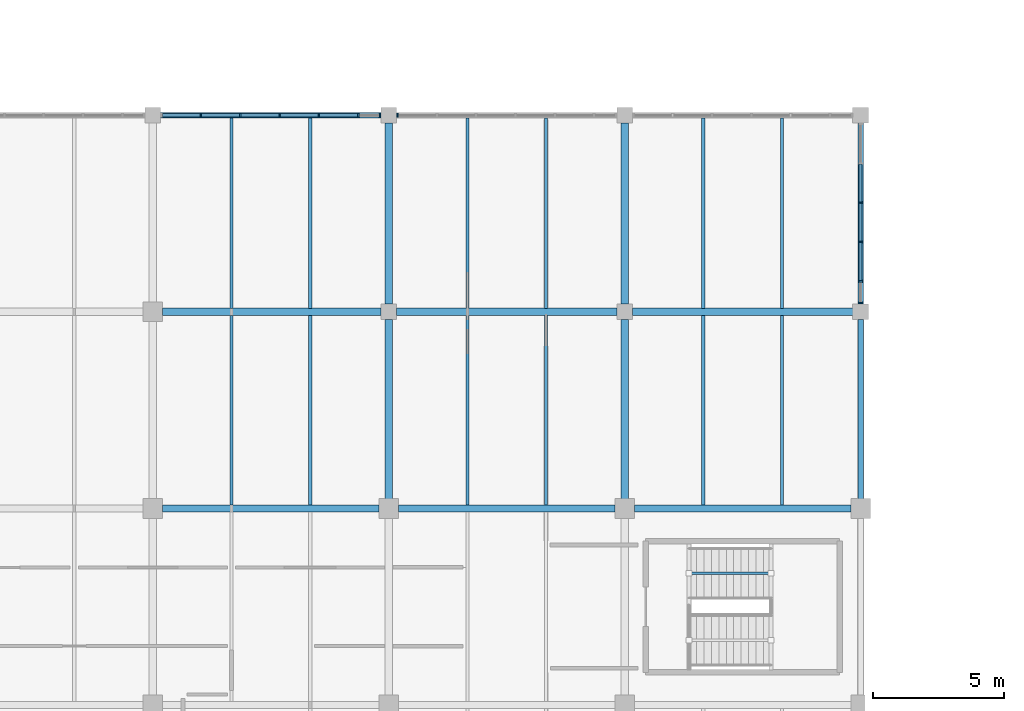
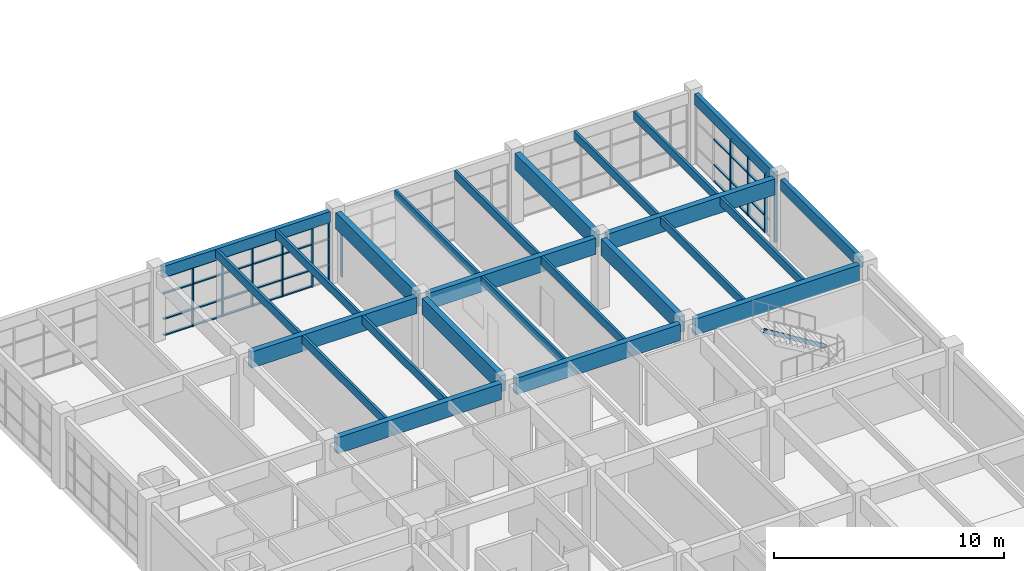
# One storey, part 37 of 76: 44 members, 25 beams, 3 elements without a shape of their own.
"""IFC4 building model written with IfcOpenShell, lengths in metres."""

from ifc_helpers import new_model, si_unit, direction, frame, origin, origin_2d, place, context, subcontext, project, spatial, rectangle, hollow_rectangle, extrude, material, layer, layer_set, material_profile, profile_set, type_object, element, aggregate, save


model = new_model("IFC4")

# Units and contexts
model_context = context("Model", 3, precision=1e-05, world=origin(), true_north=direction((0.0, 1.0)))
body_context = subcontext(model_context, "Body", "Model", "MODEL_VIEW")
ifc_project = project(units=[si_unit("LENGTHUNIT", "METRE"), si_unit("AREAUNIT", "SQUARE_METRE"), si_unit("VOLUMEUNIT", "CUBIC_METRE"), si_unit("PLANEANGLEUNIT", "RADIAN"), si_unit("MASSUNIT", "GRAM", prefix="KILO")], contexts=[model_context])

# Site, building, storey
site_placement = place(None, origin())
site = spatial("IfcSite", under=ifc_project, at=site_placement, CompositionType="ELEMENT")
building_placement = place(site_placement, origin())
building = spatial("IfcBuilding", under=site, at=building_placement, Name="Marnridge Secondary College", CompositionType="ELEMENT")
storey_placement = place(building_placement, frame((0.0, 0.0, 4.5)))
storey = spatial("IfcBuildingStorey", under=building, at=storey_placement, Name="L01", CompositionType="ELEMENT", Elevation=4.5)

# Beams
ifc_material_1 = material(Name="Glulam timber GL18", Category="wood")
ifc_material_profile_1 = material_profile(ifc_material_1, rectangle(XDim=0.215087890625, YDim=0.5849609375, at=origin_2d()), Name="GL18 215x585")
ifc_profile_set_1 = profile_set([ifc_material_profile_1], Name="Glulam timber GL18")
beam_type_1 = type_object("IfcBeamType", Name="BM-GL585-EXT", PredefinedType="SPANDREL", material=ifc_profile_set_1)
beam_1_placement = place(storey_placement, frame((63.2939453125, 82.5, 3.447509765625), z_axis=(1.0, 0.0, 0.0), x_axis=(0.0, 1.0, 0.0)))
element("IfcBeam", 1, at=beam_1_placement, inside=storey, type_object=beam_type_1, Name="Beam BS-L01-0442", PredefinedType="SPANDREL", context=body_context, shape_type="SweptSolid", body=[
    extrude(rectangle(XDim=0.215087890625, YDim=0.5849609375, at=origin_2d()), origin(), (0.0, 0.0, 1.0), 8.412109375),
])
beam_2_placement = place(storey_placement, frame((90.0, 67.868896484375, 3.447509765625), z_axis=(0.0, 1.0, 0.0), x_axis=(-1.0, 0.0, 0.0)))
element("IfcBeam", 2, at=beam_2_placement, inside=storey, type_object=beam_type_1, Name="Beam BS-L01-0465", PredefinedType="SPANDREL", context=body_context, shape_type="SweptSolid", body=[
    extrude(rectangle(XDim=0.215087890625, YDim=0.5849609375, at=origin_2d()), origin(), (0.0, 0.0, 1.0), 6.837158203125),
])
beam_3_placement = place(storey_placement, frame((90.0, 75.2939453125, 3.447509765625), z_axis=(0.0, 1.0, 0.0), x_axis=(-1.0, 0.0, 0.0)))
element("IfcBeam", 3, at=beam_3_placement, inside=storey, type_object=beam_type_1, Name="Beam BS-L01-0467", PredefinedType="SPANDREL", context=body_context, shape_type="SweptSolid", body=[
    extrude(rectangle(XDim=0.215087890625, YDim=0.5849609375, at=origin_2d()), origin(), (0.0, 0.0, 1.0), 6.912109375),
])
ifc_material_2 = material(Name="Glulam timber GL18", Category="wood")
ifc_material_profile_2 = material_profile(ifc_material_2, rectangle(XDim=0.280029296875, YDim=0.85498046875, at=origin_2d()), Name="GL18 280x855")
ifc_profile_set_2 = profile_set([ifc_material_profile_2], Name="Glulam timber GL18")
beam_type_2 = type_object("IfcBeamType", Name="BM-GL855-INT", PredefinedType="BEAM", material=ifc_profile_set_2)
beam_4_placement = place(storey_placement, frame((63.368896484375, 67.5, 3.3125), z_axis=(1.0, 0.0, 0.0), x_axis=(0.0, 1.0, 0.0)))
element("IfcBeam", 4, at=beam_4_placement, inside=storey, type_object=beam_type_2, Name="Beam B-L01-0438", PredefinedType="BEAM", context=body_context, shape_type="SweptSolid", body=[
    extrude(rectangle(XDim=0.280029296875, YDim=0.85498046875, at=origin_2d()), origin(), (0.0, 0.0, 1.0), 8.26220703125),
])
beam_5_placement = place(storey_placement, frame((63.368896484375, 75.0, 3.3125), z_axis=(1.0, 0.0, 0.0), x_axis=(0.0, 1.0, 0.0)))
element("IfcBeam", 5, at=beam_5_placement, inside=storey, type_object=beam_type_2, Name="Beam B-L01-0440", PredefinedType="BEAM", context=body_context, shape_type="SweptSolid", body=[
    extrude(rectangle(XDim=0.280029296875, YDim=0.85498046875, at=origin_2d()), origin(), (0.0, 0.0, 1.0), 8.337158203125),
])
beam_6_placement = place(storey_placement, frame((72.0, 67.868896484375, 3.3125), z_axis=(0.0, 1.0, 0.0), x_axis=(-1.0, 0.0, 0.0)))
element("IfcBeam", 6, at=beam_6_placement, inside=storey, type_object=beam_type_2, Name="Beam B-L01-0441", PredefinedType="BEAM", context=body_context, shape_type="SweptSolid", body=[
    extrude(rectangle(XDim=0.280029296875, YDim=0.85498046875, at=origin_2d()), origin(), (0.0, 0.0, 1.0), 6.837158203125),
])
beam_7_placement = place(storey_placement, frame((72.0, 75.2939453125, 3.3125), z_axis=(0.0, 1.0, 0.0), x_axis=(-1.0, 0.0, 0.0)))
element("IfcBeam", 7, at=beam_7_placement, inside=storey, type_object=beam_type_2, Name="Beam B-L01-0443", PredefinedType="BEAM", context=body_context, shape_type="SweptSolid", body=[
    extrude(rectangle(XDim=0.280029296875, YDim=0.85498046875, at=origin_2d()), origin(), (0.0, 0.0, 1.0), 6.912109375),
])
beam_8_placement = place(storey_placement, frame((72.368896484375, 67.5, 3.3125), z_axis=(1.0, 0.0, 0.0), x_axis=(0.0, 1.0, 0.0)))
element("IfcBeam", 8, at=beam_8_placement, inside=storey, type_object=beam_type_2, Name="Beam B-L01-0447", PredefinedType="BEAM", context=body_context, shape_type="SweptSolid", body=[
    extrude(rectangle(XDim=0.280029296875, YDim=0.85498046875, at=origin_2d()), origin(), (0.0, 0.0, 1.0), 8.26220703125),
])
beam_9_placement = place(storey_placement, frame((72.2939453125, 75.0, 3.3125), z_axis=(1.0, 0.0, 0.0), x_axis=(0.0, 1.0, 0.0)))
element("IfcBeam", 9, at=beam_9_placement, inside=storey, type_object=beam_type_2, Name="Beam B-L01-0449", PredefinedType="BEAM", context=body_context, shape_type="SweptSolid", body=[
    extrude(rectangle(XDim=0.280029296875, YDim=0.85498046875, at=origin_2d()), origin(), (0.0, 0.0, 1.0), 8.412109375),
])
beam_10_placement = place(storey_placement, frame((81.0, 67.868896484375, 3.3125), z_axis=(0.0, 1.0, 0.0), x_axis=(-1.0, 0.0, 0.0)))
element("IfcBeam", 10, at=beam_10_placement, inside=storey, type_object=beam_type_2, Name="Beam B-L01-0450", PredefinedType="BEAM", context=body_context, shape_type="SweptSolid", body=[
    extrude(rectangle(XDim=0.280029296875, YDim=0.85498046875, at=origin_2d()), origin(), (0.0, 0.0, 1.0), 6.837158203125),
])
beam_11_placement = place(storey_placement, frame((81.0, 75.2939453125, 3.3125), z_axis=(0.0, 1.0, 0.0), x_axis=(-1.0, 0.0, 0.0)))
element("IfcBeam", 11, at=beam_11_placement, inside=storey, type_object=beam_type_2, Name="Beam B-L01-0452", PredefinedType="BEAM", context=body_context, shape_type="SweptSolid", body=[
    extrude(rectangle(XDim=0.280029296875, YDim=0.85498046875, at=origin_2d()), origin(), (0.0, 0.0, 1.0), 6.912109375),
])
beam_12_placement = place(storey_placement, frame((81.368896484375, 67.5, 3.3125), z_axis=(1.0, 0.0, 0.0), x_axis=(0.0, 1.0, 0.0)))
element("IfcBeam", 12, at=beam_12_placement, inside=storey, type_object=beam_type_2, Name="Beam B-L01-0462", PredefinedType="BEAM", context=body_context, shape_type="SweptSolid", body=[
    extrude(rectangle(XDim=0.280029296875, YDim=0.85498046875, at=origin_2d()), origin(), (0.0, 0.0, 1.0), 8.26220703125),
])
beam_13_placement = place(storey_placement, frame((81.2939453125, 75.0, 3.3125), z_axis=(1.0, 0.0, 0.0), x_axis=(0.0, 1.0, 0.0)))
element("IfcBeam", 13, at=beam_13_placement, inside=storey, type_object=beam_type_2, Name="Beam B-L01-0464", PredefinedType="BEAM", context=body_context, shape_type="SweptSolid", body=[
    extrude(rectangle(XDim=0.280029296875, YDim=0.85498046875, at=origin_2d()), origin(), (0.0, 0.0, 1.0), 8.412109375),
])
ifc_material_3 = material(Name="Engineered timber LVL E13.2", Category="wood")
ifc_material_profile_3 = material_profile(ifc_material_3, rectangle(XDim=0.1259765625, YDim=0.449951171875, at=origin_2d()), Name="LVL 126x450")
ifc_profile_set_3 = profile_set([ifc_material_profile_3], Name="Engineered timber LVL E13.2")
beam_type_3 = type_object("IfcBeamType", Name="BM-LVL450-INT", PredefinedType="JOIST", material=ifc_profile_set_3)
for number, where, z_axis, x_axis, name in (
    (14, (66.0, 67.634033203125, 3.514892578125), (0.0, 1.0, 0.0), (-1.0, 0.0, 0.0), "Beam BJ-L01-0487"),
    (15, (69.0, 67.634033203125, 3.514892578125), (0.0, 1.0, 0.0), (-1.0, 0.0, 0.0), "Beam BJ-L01-0488"),
):
    element("IfcBeam", number, at=place(storey_placement, frame(where, z_axis=z_axis, x_axis=x_axis)), inside=storey, type_object=beam_type_3, Name=name, PredefinedType="JOIST", context=body_context, shape_type="SweptSolid", body=[
        extrude(rectangle(XDim=0.1259765625, YDim=0.449951171875, at=origin_2d()), origin(), (0.0, 0.0, 1.0), 7.23193359375),
    ])
for number, where, z_axis, x_axis, name in (
    (16, (66.0, 75.134033203125, 3.514892578125), (0.0, 1.0, 0.0), (-1.0, 0.0, 0.0), "Beam BJ-L01-0489"),
    (17, (69.0, 75.134033203125, 3.514892578125), (0.0, 1.0, 0.0), (-1.0, 0.0, 0.0), "Beam BJ-L01-0490"),
):
    element("IfcBeam", number, at=place(storey_placement, frame(where, z_axis=z_axis, x_axis=x_axis)), inside=storey, type_object=beam_type_3, Name=name, PredefinedType="JOIST", context=body_context, shape_type="SweptSolid", body=[
        extrude(rectangle(XDim=0.1259765625, YDim=0.449951171875, at=origin_2d()), origin(), (0.0, 0.0, 1.0), 7.264404296875),
    ])
for number, where, z_axis, x_axis, name in (
    (18, (75.0, 67.634033203125, 3.514892578125), (0.0, 1.0, 0.0), (-1.0, 0.0, 0.0), "Beam BJ-L01-0495"),
    (19, (78.0, 67.634033203125, 3.514892578125), (0.0, 1.0, 0.0), (-1.0, 0.0, 0.0), "Beam BJ-L01-0496"),
):
    element("IfcBeam", number, at=place(storey_placement, frame(where, z_axis=z_axis, x_axis=x_axis)), inside=storey, type_object=beam_type_3, Name=name, PredefinedType="JOIST", context=body_context, shape_type="SweptSolid", body=[
        extrude(rectangle(XDim=0.1259765625, YDim=0.449951171875, at=origin_2d()), origin(), (0.0, 0.0, 1.0), 7.23193359375),
    ])
for number, where, z_axis, x_axis, name in (
    (20, (75.0, 75.134033203125, 3.514892578125), (0.0, 1.0, 0.0), (-1.0, 0.0, 0.0), "Beam BJ-L01-0497"),
    (21, (78.0, 75.134033203125, 3.514892578125), (0.0, 1.0, 0.0), (-1.0, 0.0, 0.0), "Beam BJ-L01-0498"),
):
    element("IfcBeam", number, at=place(storey_placement, frame(where, z_axis=z_axis, x_axis=x_axis)), inside=storey, type_object=beam_type_3, Name=name, PredefinedType="JOIST", context=body_context, shape_type="SweptSolid", body=[
        extrude(rectangle(XDim=0.1259765625, YDim=0.449951171875, at=origin_2d()), origin(), (0.0, 0.0, 1.0), 7.264404296875),
    ])
for number, where, z_axis, x_axis, name in (
    (22, (84.0, 67.634033203125, 3.514892578125), (0.0, 1.0, 0.0), (-1.0, 0.0, 0.0), "Beam BJ-L01-0505"),
    (23, (87.0, 67.634033203125, 3.514892578125), (0.0, 1.0, 0.0), (-1.0, 0.0, 0.0), "Beam BJ-L01-0506"),
):
    element("IfcBeam", number, at=place(storey_placement, frame(where, z_axis=z_axis, x_axis=x_axis)), inside=storey, type_object=beam_type_3, Name=name, PredefinedType="JOIST", context=body_context, shape_type="SweptSolid", body=[
        extrude(rectangle(XDim=0.1259765625, YDim=0.449951171875, at=origin_2d()), origin(), (0.0, 0.0, 1.0), 7.23193359375),
    ])
for number, where, z_axis, x_axis, name in (
    (24, (84.0, 75.134033203125, 3.514892578125), (0.0, 1.0, 0.0), (-1.0, 0.0, 0.0), "Beam BJ-L01-0507"),
    (25, (87.0, 75.134033203125, 3.514892578125), (0.0, 1.0, 0.0), (-1.0, 0.0, 0.0), "Beam BJ-L01-0508"),
):
    element("IfcBeam", number, at=place(storey_placement, frame(where, z_axis=z_axis, x_axis=x_axis)), inside=storey, type_object=beam_type_3, Name=name, PredefinedType="JOIST", context=body_context, shape_type="SweptSolid", body=[
        extrude(rectangle(XDim=0.1259765625, YDim=0.449951171875, at=origin_2d()), origin(), (0.0, 0.0, 1.0), 7.264404296875),
    ])

# Curtain wall, members
ifc_material_4 = material(Name="Thermally broken aluminium and low-E glazing", Category="aluminium")
ifc_layer = layer(ifc_material_4, 0.159912109375)
ifc_layer_set = layer_set([ifc_layer], Name="CW-MOD-1500")
curtain_wall_type = type_object("IfcCurtainWallType", Name="CW-MOD-1500", PredefinedType="NOTDEFINED", material=ifc_layer_set)
curtain_wall_1_placement = place(storey_placement, origin())
curtain_wall_1 = element("IfcCurtainWall", 26, at=curtain_wall_1_placement, inside=storey, type_object=curtain_wall_type, Name="Unitised curtain wall CW-L01-029", PredefinedType="NOTDEFINED")
ifc_material_5 = material(Name="Anodised aluminium 6063-T6", Category="aluminium")
ifc_material_profile_4 = material_profile(ifc_material_5, rectangle(XDim=0.06005859375, YDim=0.159912109375, at=origin_2d()), Name="ALU 60x160")
ifc_profile_set_4 = profile_set([ifc_material_profile_4], Name="Anodised aluminium 6063-T6")
member_type_1 = type_object("IfcMemberType", Name="CWM-ALU160", PredefinedType="MULLION", material=ifc_profile_set_4)
member_1_placement = place(storey_placement, frame((64.833984375, 82.5, 0.0), z_axis=(0.0, 0.0, 1.0), x_axis=(1.0, 0.0, 0.0)))
member_1 = element("IfcMember", 27, at=member_1_placement, type_object=member_type_1, Name="CW-L01-029 mullion 2", PredefinedType="MULLION", context=body_context, shape_type="SweptSolid", body=[
    extrude(rectangle(XDim=0.06005859375, YDim=0.159912109375, at=origin_2d()), origin(), (0.0, 0.0, 1.0), 3.14697265625),
])
member_2_placement = place(storey_placement, frame((66.333984375, 82.5, 0.0), z_axis=(0.0, 0.0, 1.0), x_axis=(1.0, 0.0, 0.0)))
member_2 = element("IfcMember", 28, at=member_2_placement, type_object=member_type_1, Name="CW-L01-029 mullion 3", PredefinedType="MULLION", context=body_context, shape_type="SweptSolid", body=[
    extrude(rectangle(XDim=0.06005859375, YDim=0.159912109375, at=origin_2d()), origin(), (0.0, 0.0, 1.0), 3.14697265625),
])
member_3_placement = place(storey_placement, frame((67.833984375, 82.5, 0.0), z_axis=(0.0, 0.0, 1.0), x_axis=(1.0, 0.0, 0.0)))
member_3 = element("IfcMember", 29, at=member_3_placement, type_object=member_type_1, Name="CW-L01-029 mullion 4", PredefinedType="MULLION", context=body_context, shape_type="SweptSolid", body=[
    extrude(rectangle(XDim=0.06005859375, YDim=0.159912109375, at=origin_2d()), origin(), (0.0, 0.0, 1.0), 3.14697265625),
])
member_4_placement = place(storey_placement, frame((69.333984375, 82.5, 0.0), z_axis=(0.0, 0.0, 1.0), x_axis=(1.0, 0.0, 0.0)))
member_4 = element("IfcMember", 30, at=member_4_placement, type_object=member_type_1, Name="CW-L01-029 mullion 5", PredefinedType="MULLION", context=body_context, shape_type="SweptSolid", body=[
    extrude(rectangle(XDim=0.06005859375, YDim=0.159912109375, at=origin_2d()), origin(), (0.0, 0.0, 1.0), 3.14697265625),
])
member_5_placement = place(storey_placement, frame((70.833984375, 82.5, 0.0), z_axis=(0.0, 0.0, 1.0), x_axis=(1.0, 0.0, 0.0)))
member_5 = element("IfcMember", 31, at=member_5_placement, type_object=member_type_1, Name="CW-L01-029 mullion 6", PredefinedType="MULLION", context=body_context, shape_type="SweptSolid", body=[
    extrude(rectangle(XDim=0.06005859375, YDim=0.159912109375, at=origin_2d()), origin(), (0.0, 0.0, 1.0), 3.14697265625),
])
member_6_placement = place(storey_placement, frame((71.666015625, 82.5, 0.0), z_axis=(0.0, 0.0, 1.0), x_axis=(1.0, 0.0, 0.0)))
member_6 = element("IfcMember", 32, at=member_6_placement, type_object=member_type_1, Name="CW-L01-029 mullion 7", PredefinedType="MULLION", context=body_context, shape_type="SweptSolid", body=[
    extrude(rectangle(XDim=0.06005859375, YDim=0.159912109375, at=origin_2d()), origin(), (0.0, 0.0, 1.0), 3.14697265625),
])

# Curtain wall, member
curtain_wall_2_placement = place(storey_placement, origin())
curtain_wall_2 = element("IfcCurtainWall", 33, at=curtain_wall_2_placement, inside=storey, type_object=curtain_wall_type, Name="Unitised curtain wall CW-L01-030", PredefinedType="NOTDEFINED")
member_7_placement = place(storey_placement, frame((72.333984375, 82.5, 0.0), z_axis=(0.0, 0.0, 1.0), x_axis=(1.0, 0.0, 0.0)))
member_7 = element("IfcMember", 34, at=member_7_placement, type_object=member_type_1, Name="CW-L01-030 mullion 1", PredefinedType="MULLION", context=body_context, shape_type="SweptSolid", body=[
    extrude(rectangle(XDim=0.06005859375, YDim=0.159912109375, at=origin_2d()), origin(), (0.0, 0.0, 1.0), 3.14697265625),
])
aggregate(curtain_wall_2, [member_7])

# Curtain wall, members
curtain_wall_3_placement = place(storey_placement, origin())
curtain_wall_3 = element("IfcCurtainWall", 35, at=curtain_wall_3_placement, inside=storey, type_object=curtain_wall_type, Name="Unitised curtain wall CW-L01-032", PredefinedType="NOTDEFINED")
member_8_placement = place(storey_placement, frame((90.0, 79.166015625, 0.0), z_axis=(0.0, 0.0, 1.0), x_axis=(0.0, -1.0, 0.0)))
member_8 = element("IfcMember", 36, at=member_8_placement, type_object=member_type_1, Name="CW-L01-032 mullion 3", PredefinedType="MULLION", context=body_context, shape_type="SweptSolid", body=[
    extrude(rectangle(XDim=0.06005859375, YDim=0.159912109375, at=origin_2d()), origin(), (0.0, 0.0, 1.0), 3.14697265625),
])
member_9_placement = place(storey_placement, frame((90.0, 77.666015625, 0.0), z_axis=(0.0, 0.0, 1.0), x_axis=(0.0, -1.0, 0.0)))
member_9 = element("IfcMember", 37, at=member_9_placement, type_object=member_type_1, Name="CW-L01-032 mullion 4", PredefinedType="MULLION", context=body_context, shape_type="SweptSolid", body=[
    extrude(rectangle(XDim=0.06005859375, YDim=0.159912109375, at=origin_2d()), origin(), (0.0, 0.0, 1.0), 3.14697265625),
])
member_10_placement = place(storey_placement, frame((90.0, 76.166015625, 0.0), z_axis=(0.0, 0.0, 1.0), x_axis=(0.0, -1.0, 0.0)))
member_10 = element("IfcMember", 38, at=member_10_placement, type_object=member_type_1, Name="CW-L01-032 mullion 5", PredefinedType="MULLION", context=body_context, shape_type="SweptSolid", body=[
    extrude(rectangle(XDim=0.06005859375, YDim=0.159912109375, at=origin_2d()), origin(), (0.0, 0.0, 1.0), 3.14697265625),
])
member_11_placement = place(storey_placement, frame((90.0, 75.333984375, 0.0), z_axis=(0.0, 0.0, 1.0), x_axis=(0.0, -1.0, 0.0)))
member_11 = element("IfcMember", 39, at=member_11_placement, type_object=member_type_1, Name="CW-L01-032 mullion 6", PredefinedType="MULLION", context=body_context, shape_type="SweptSolid", body=[
    extrude(rectangle(XDim=0.06005859375, YDim=0.159912109375, at=origin_2d()), origin(), (0.0, 0.0, 1.0), 3.14697265625),
])

# Member
ifc_material_6 = material(Name="Anodised aluminium 6063-T6", Category="aluminium")
ifc_material_profile_5 = material_profile(ifc_material_6, rectangle(XDim=0.06005859375, YDim=0.1201171875, at=origin_2d()), Name="ALU 60x120")
ifc_profile_set_5 = profile_set([ifc_material_profile_5], Name="Anodised aluminium 6063-T6")
member_type_2 = type_object("IfcMemberType", Name="CWT-ALU120", PredefinedType="USERDEFINED", material=ifc_profile_set_5)
member_12_placement = place(storey_placement, frame((63.364013671875, 82.5, 0.030029296875), z_axis=(1.0, 0.0, 0.0), x_axis=(0.0, 0.0, 1.0)))
member_12 = element("IfcMember", 40, at=member_12_placement, type_object=member_type_2, Name="CW-L01-029 transom 1.1", ObjectType="TRANSOM", PredefinedType="USERDEFINED", context=body_context, shape_type="SweptSolid", body=[
    extrude(rectangle(XDim=0.06005859375, YDim=0.1201171875, at=origin_2d()), origin(), (0.0, 0.0, 1.0), 1.43994140625),
])

member_13_placement = place(storey_placement, frame((63.364013671875, 82.5, 0.89990234375), z_axis=(1.0, 0.0, 0.0), x_axis=(0.0, 0.0, 1.0)))
member_13 = element("IfcMember", 41, at=member_13_placement, type_object=member_type_2, Name="CW-L01-029 transom 1.2", ObjectType="TRANSOM", PredefinedType="USERDEFINED", context=body_context, shape_type="SweptSolid", body=[
    extrude(rectangle(XDim=0.06005859375, YDim=0.1201171875, at=origin_2d()), origin(), (0.0, 0.0, 1.0), 1.43994140625),
])

member_14_placement = place(storey_placement, frame((63.364013671875, 82.5, 2.25), z_axis=(1.0, 0.0, 0.0), x_axis=(0.0, 0.0, 1.0)))
member_14 = element("IfcMember", 42, at=member_14_placement, type_object=member_type_2, Name="CW-L01-029 transom 1.3", ObjectType="TRANSOM", PredefinedType="USERDEFINED", context=body_context, shape_type="SweptSolid", body=[
    extrude(rectangle(XDim=0.06005859375, YDim=0.1201171875, at=origin_2d()), origin(), (0.0, 0.0, 1.0), 1.43994140625),
])

member_15_placement = place(storey_placement, frame((63.364013671875, 82.5, 3.116943359375), z_axis=(1.0, 0.0, 0.0), x_axis=(0.0, 0.0, 1.0)))
member_15 = element("IfcMember", 43, at=member_15_placement, type_object=member_type_2, Name="CW-L01-029 transom 1.4", ObjectType="TRANSOM", PredefinedType="USERDEFINED", context=body_context, shape_type="SweptSolid", body=[
    extrude(rectangle(XDim=0.06005859375, YDim=0.1201171875, at=origin_2d()), origin(), (0.0, 0.0, 1.0), 1.43994140625),
])

member_16_placement = place(storey_placement, frame((64.864013671875, 82.5, 0.030029296875), z_axis=(1.0, 0.0, 0.0), x_axis=(0.0, 0.0, 1.0)))
member_16 = element("IfcMember", 44, at=member_16_placement, type_object=member_type_2, Name="CW-L01-029 transom 2.1", ObjectType="TRANSOM", PredefinedType="USERDEFINED", context=body_context, shape_type="SweptSolid", body=[
    extrude(rectangle(XDim=0.06005859375, YDim=0.1201171875, at=origin_2d()), origin(), (0.0, 0.0, 1.0), 1.43994140625),
])

member_17_placement = place(storey_placement, frame((64.864013671875, 82.5, 0.89990234375), z_axis=(1.0, 0.0, 0.0), x_axis=(0.0, 0.0, 1.0)))
member_17 = element("IfcMember", 45, at=member_17_placement, type_object=member_type_2, Name="CW-L01-029 transom 2.2", ObjectType="TRANSOM", PredefinedType="USERDEFINED", context=body_context, shape_type="SweptSolid", body=[
    extrude(rectangle(XDim=0.06005859375, YDim=0.1201171875, at=origin_2d()), origin(), (0.0, 0.0, 1.0), 1.43994140625),
])

member_18_placement = place(storey_placement, frame((64.864013671875, 82.5, 2.25), z_axis=(1.0, 0.0, 0.0), x_axis=(0.0, 0.0, 1.0)))
member_18 = element("IfcMember", 46, at=member_18_placement, type_object=member_type_2, Name="CW-L01-029 transom 2.3", ObjectType="TRANSOM", PredefinedType="USERDEFINED", context=body_context, shape_type="SweptSolid", body=[
    extrude(rectangle(XDim=0.06005859375, YDim=0.1201171875, at=origin_2d()), origin(), (0.0, 0.0, 1.0), 1.43994140625),
])

member_19_placement = place(storey_placement, frame((64.864013671875, 82.5, 3.116943359375), z_axis=(1.0, 0.0, 0.0), x_axis=(0.0, 0.0, 1.0)))
member_19 = element("IfcMember", 47, at=member_19_placement, type_object=member_type_2, Name="CW-L01-029 transom 2.4", ObjectType="TRANSOM", PredefinedType="USERDEFINED", context=body_context, shape_type="SweptSolid", body=[
    extrude(rectangle(XDim=0.06005859375, YDim=0.1201171875, at=origin_2d()), origin(), (0.0, 0.0, 1.0), 1.43994140625),
])

member_20_placement = place(storey_placement, frame((66.364013671875, 82.5, 0.030029296875), z_axis=(1.0, 0.0, 0.0), x_axis=(0.0, 0.0, 1.0)))
member_20 = element("IfcMember", 48, at=member_20_placement, type_object=member_type_2, Name="CW-L01-029 transom 3.1", ObjectType="TRANSOM", PredefinedType="USERDEFINED", context=body_context, shape_type="SweptSolid", body=[
    extrude(rectangle(XDim=0.06005859375, YDim=0.1201171875, at=origin_2d()), origin(), (0.0, 0.0, 1.0), 1.43994140625),
])

member_21_placement = place(storey_placement, frame((66.364013671875, 82.5, 0.89990234375), z_axis=(1.0, 0.0, 0.0), x_axis=(0.0, 0.0, 1.0)))
member_21 = element("IfcMember", 49, at=member_21_placement, type_object=member_type_2, Name="CW-L01-029 transom 3.2", ObjectType="TRANSOM", PredefinedType="USERDEFINED", context=body_context, shape_type="SweptSolid", body=[
    extrude(rectangle(XDim=0.06005859375, YDim=0.1201171875, at=origin_2d()), origin(), (0.0, 0.0, 1.0), 1.43994140625),
])

member_22_placement = place(storey_placement, frame((66.364013671875, 82.5, 2.25), z_axis=(1.0, 0.0, 0.0), x_axis=(0.0, 0.0, 1.0)))
member_22 = element("IfcMember", 50, at=member_22_placement, type_object=member_type_2, Name="CW-L01-029 transom 3.3", ObjectType="TRANSOM", PredefinedType="USERDEFINED", context=body_context, shape_type="SweptSolid", body=[
    extrude(rectangle(XDim=0.06005859375, YDim=0.1201171875, at=origin_2d()), origin(), (0.0, 0.0, 1.0), 1.43994140625),
])

member_23_placement = place(storey_placement, frame((66.364013671875, 82.5, 3.116943359375), z_axis=(1.0, 0.0, 0.0), x_axis=(0.0, 0.0, 1.0)))
member_23 = element("IfcMember", 51, at=member_23_placement, type_object=member_type_2, Name="CW-L01-029 transom 3.4", ObjectType="TRANSOM", PredefinedType="USERDEFINED", context=body_context, shape_type="SweptSolid", body=[
    extrude(rectangle(XDim=0.06005859375, YDim=0.1201171875, at=origin_2d()), origin(), (0.0, 0.0, 1.0), 1.43994140625),
])

member_24_placement = place(storey_placement, frame((67.864013671875, 82.5, 0.030029296875), z_axis=(1.0, 0.0, 0.0), x_axis=(0.0, 0.0, 1.0)))
member_24 = element("IfcMember", 52, at=member_24_placement, type_object=member_type_2, Name="CW-L01-029 transom 4.1", ObjectType="TRANSOM", PredefinedType="USERDEFINED", context=body_context, shape_type="SweptSolid", body=[
    extrude(rectangle(XDim=0.06005859375, YDim=0.1201171875, at=origin_2d()), origin(), (0.0, 0.0, 1.0), 1.43994140625),
])

member_25_placement = place(storey_placement, frame((67.864013671875, 82.5, 0.89990234375), z_axis=(1.0, 0.0, 0.0), x_axis=(0.0, 0.0, 1.0)))
member_25 = element("IfcMember", 53, at=member_25_placement, type_object=member_type_2, Name="CW-L01-029 transom 4.2", ObjectType="TRANSOM", PredefinedType="USERDEFINED", context=body_context, shape_type="SweptSolid", body=[
    extrude(rectangle(XDim=0.06005859375, YDim=0.1201171875, at=origin_2d()), origin(), (0.0, 0.0, 1.0), 1.43994140625),
])

member_26_placement = place(storey_placement, frame((67.864013671875, 82.5, 2.25), z_axis=(1.0, 0.0, 0.0), x_axis=(0.0, 0.0, 1.0)))
member_26 = element("IfcMember", 54, at=member_26_placement, type_object=member_type_2, Name="CW-L01-029 transom 4.3", ObjectType="TRANSOM", PredefinedType="USERDEFINED", context=body_context, shape_type="SweptSolid", body=[
    extrude(rectangle(XDim=0.06005859375, YDim=0.1201171875, at=origin_2d()), origin(), (0.0, 0.0, 1.0), 1.43994140625),
])

member_27_placement = place(storey_placement, frame((67.864013671875, 82.5, 3.116943359375), z_axis=(1.0, 0.0, 0.0), x_axis=(0.0, 0.0, 1.0)))
member_27 = element("IfcMember", 55, at=member_27_placement, type_object=member_type_2, Name="CW-L01-029 transom 4.4", ObjectType="TRANSOM", PredefinedType="USERDEFINED", context=body_context, shape_type="SweptSolid", body=[
    extrude(rectangle(XDim=0.06005859375, YDim=0.1201171875, at=origin_2d()), origin(), (0.0, 0.0, 1.0), 1.43994140625),
])

member_28_placement = place(storey_placement, frame((69.364013671875, 82.5, 0.030029296875), z_axis=(1.0, 0.0, 0.0), x_axis=(0.0, 0.0, 1.0)))
member_28 = element("IfcMember", 56, at=member_28_placement, type_object=member_type_2, Name="CW-L01-029 transom 5.1", ObjectType="TRANSOM", PredefinedType="USERDEFINED", context=body_context, shape_type="SweptSolid", body=[
    extrude(rectangle(XDim=0.06005859375, YDim=0.1201171875, at=origin_2d()), origin(), (0.0, 0.0, 1.0), 1.43994140625),
])

member_29_placement = place(storey_placement, frame((69.364013671875, 82.5, 0.89990234375), z_axis=(1.0, 0.0, 0.0), x_axis=(0.0, 0.0, 1.0)))
member_29 = element("IfcMember", 57, at=member_29_placement, type_object=member_type_2, Name="CW-L01-029 transom 5.2", ObjectType="TRANSOM", PredefinedType="USERDEFINED", context=body_context, shape_type="SweptSolid", body=[
    extrude(rectangle(XDim=0.06005859375, YDim=0.1201171875, at=origin_2d()), origin(), (0.0, 0.0, 1.0), 1.43994140625),
])

member_30_placement = place(storey_placement, frame((69.364013671875, 82.5, 2.25), z_axis=(1.0, 0.0, 0.0), x_axis=(0.0, 0.0, 1.0)))
member_30 = element("IfcMember", 58, at=member_30_placement, type_object=member_type_2, Name="CW-L01-029 transom 5.3", ObjectType="TRANSOM", PredefinedType="USERDEFINED", context=body_context, shape_type="SweptSolid", body=[
    extrude(rectangle(XDim=0.06005859375, YDim=0.1201171875, at=origin_2d()), origin(), (0.0, 0.0, 1.0), 1.43994140625),
])

member_31_placement = place(storey_placement, frame((69.364013671875, 82.5, 3.116943359375), z_axis=(1.0, 0.0, 0.0), x_axis=(0.0, 0.0, 1.0)))
member_31 = element("IfcMember", 59, at=member_31_placement, type_object=member_type_2, Name="CW-L01-029 transom 5.4", ObjectType="TRANSOM", PredefinedType="USERDEFINED", context=body_context, shape_type="SweptSolid", body=[
    extrude(rectangle(XDim=0.06005859375, YDim=0.1201171875, at=origin_2d()), origin(), (0.0, 0.0, 1.0), 1.43994140625),
])

aggregate(curtain_wall_1, [member_1, member_2, member_3, member_4, member_5, member_6, member_12, member_13, member_14, member_15, member_16, member_17, member_18, member_19, member_20, member_21, member_22, member_23, member_24, member_25, member_26, member_27, member_28, member_29, member_30, member_31])

member_32_placement = place(storey_placement, frame((90.0, 80.635986328125, 0.030029296875), z_axis=(0.0, -1.0, 0.0), x_axis=(0.0, 0.0, 1.0)))
member_32 = element("IfcMember", 60, at=member_32_placement, type_object=member_type_2, Name="CW-L01-032 transom 2.1", ObjectType="TRANSOM", PredefinedType="USERDEFINED", context=body_context, shape_type="SweptSolid", body=[
    extrude(rectangle(XDim=0.06005859375, YDim=0.1201171875, at=origin_2d()), origin(), (0.0, 0.0, 1.0), 1.43994140625),
])

member_33_placement = place(storey_placement, frame((90.0, 80.635986328125, 0.89990234375), z_axis=(0.0, -1.0, 0.0), x_axis=(0.0, 0.0, 1.0)))
member_33 = element("IfcMember", 61, at=member_33_placement, type_object=member_type_2, Name="CW-L01-032 transom 2.2", ObjectType="TRANSOM", PredefinedType="USERDEFINED", context=body_context, shape_type="SweptSolid", body=[
    extrude(rectangle(XDim=0.06005859375, YDim=0.1201171875, at=origin_2d()), origin(), (0.0, 0.0, 1.0), 1.43994140625),
])

member_34_placement = place(storey_placement, frame((90.0, 80.635986328125, 2.25), z_axis=(0.0, -1.0, 0.0), x_axis=(0.0, 0.0, 1.0)))
member_34 = element("IfcMember", 62, at=member_34_placement, type_object=member_type_2, Name="CW-L01-032 transom 2.3", ObjectType="TRANSOM", PredefinedType="USERDEFINED", context=body_context, shape_type="SweptSolid", body=[
    extrude(rectangle(XDim=0.06005859375, YDim=0.1201171875, at=origin_2d()), origin(), (0.0, 0.0, 1.0), 1.43994140625),
])

member_35_placement = place(storey_placement, frame((90.0, 80.635986328125, 3.116943359375), z_axis=(0.0, -1.0, 0.0), x_axis=(0.0, 0.0, 1.0)))
member_35 = element("IfcMember", 63, at=member_35_placement, type_object=member_type_2, Name="CW-L01-032 transom 2.4", ObjectType="TRANSOM", PredefinedType="USERDEFINED", context=body_context, shape_type="SweptSolid", body=[
    extrude(rectangle(XDim=0.06005859375, YDim=0.1201171875, at=origin_2d()), origin(), (0.0, 0.0, 1.0), 1.43994140625),
])

member_36_placement = place(storey_placement, frame((90.0, 79.135986328125, 0.030029296875), z_axis=(0.0, -1.0, 0.0), x_axis=(0.0, 0.0, 1.0)))
member_36 = element("IfcMember", 64, at=member_36_placement, type_object=member_type_2, Name="CW-L01-032 transom 3.1", ObjectType="TRANSOM", PredefinedType="USERDEFINED", context=body_context, shape_type="SweptSolid", body=[
    extrude(rectangle(XDim=0.06005859375, YDim=0.1201171875, at=origin_2d()), origin(), (0.0, 0.0, 1.0), 1.43994140625),
])

member_37_placement = place(storey_placement, frame((90.0, 79.135986328125, 0.89990234375), z_axis=(0.0, -1.0, 0.0), x_axis=(0.0, 0.0, 1.0)))
member_37 = element("IfcMember", 65, at=member_37_placement, type_object=member_type_2, Name="CW-L01-032 transom 3.2", ObjectType="TRANSOM", PredefinedType="USERDEFINED", context=body_context, shape_type="SweptSolid", body=[
    extrude(rectangle(XDim=0.06005859375, YDim=0.1201171875, at=origin_2d()), origin(), (0.0, 0.0, 1.0), 1.43994140625),
])

member_38_placement = place(storey_placement, frame((90.0, 79.135986328125, 2.25), z_axis=(0.0, -1.0, 0.0), x_axis=(0.0, 0.0, 1.0)))
member_38 = element("IfcMember", 66, at=member_38_placement, type_object=member_type_2, Name="CW-L01-032 transom 3.3", ObjectType="TRANSOM", PredefinedType="USERDEFINED", context=body_context, shape_type="SweptSolid", body=[
    extrude(rectangle(XDim=0.06005859375, YDim=0.1201171875, at=origin_2d()), origin(), (0.0, 0.0, 1.0), 1.43994140625),
])

member_39_placement = place(storey_placement, frame((90.0, 79.135986328125, 3.116943359375), z_axis=(0.0, -1.0, 0.0), x_axis=(0.0, 0.0, 1.0)))
member_39 = element("IfcMember", 67, at=member_39_placement, type_object=member_type_2, Name="CW-L01-032 transom 3.4", ObjectType="TRANSOM", PredefinedType="USERDEFINED", context=body_context, shape_type="SweptSolid", body=[
    extrude(rectangle(XDim=0.06005859375, YDim=0.1201171875, at=origin_2d()), origin(), (0.0, 0.0, 1.0), 1.43994140625),
])

member_40_placement = place(storey_placement, frame((90.0, 77.635986328125, 0.030029296875), z_axis=(0.0, -1.0, 0.0), x_axis=(0.0, 0.0, 1.0)))
member_40 = element("IfcMember", 68, at=member_40_placement, type_object=member_type_2, Name="CW-L01-032 transom 4.1", ObjectType="TRANSOM", PredefinedType="USERDEFINED", context=body_context, shape_type="SweptSolid", body=[
    extrude(rectangle(XDim=0.06005859375, YDim=0.1201171875, at=origin_2d()), origin(), (0.0, 0.0, 1.0), 1.43994140625),
])

member_41_placement = place(storey_placement, frame((90.0, 77.635986328125, 0.89990234375), z_axis=(0.0, -1.0, 0.0), x_axis=(0.0, 0.0, 1.0)))
member_41 = element("IfcMember", 69, at=member_41_placement, type_object=member_type_2, Name="CW-L01-032 transom 4.2", ObjectType="TRANSOM", PredefinedType="USERDEFINED", context=body_context, shape_type="SweptSolid", body=[
    extrude(rectangle(XDim=0.06005859375, YDim=0.1201171875, at=origin_2d()), origin(), (0.0, 0.0, 1.0), 1.43994140625),
])

member_42_placement = place(storey_placement, frame((90.0, 77.635986328125, 2.25), z_axis=(0.0, -1.0, 0.0), x_axis=(0.0, 0.0, 1.0)))
member_42 = element("IfcMember", 70, at=member_42_placement, type_object=member_type_2, Name="CW-L01-032 transom 4.3", ObjectType="TRANSOM", PredefinedType="USERDEFINED", context=body_context, shape_type="SweptSolid", body=[
    extrude(rectangle(XDim=0.06005859375, YDim=0.1201171875, at=origin_2d()), origin(), (0.0, 0.0, 1.0), 1.43994140625),
])

member_43_placement = place(storey_placement, frame((90.0, 77.635986328125, 3.116943359375), z_axis=(0.0, -1.0, 0.0), x_axis=(0.0, 0.0, 1.0)))
member_43 = element("IfcMember", 71, at=member_43_placement, type_object=member_type_2, Name="CW-L01-032 transom 4.4", ObjectType="TRANSOM", PredefinedType="USERDEFINED", context=body_context, shape_type="SweptSolid", body=[
    extrude(rectangle(XDim=0.06005859375, YDim=0.1201171875, at=origin_2d()), origin(), (0.0, 0.0, 1.0), 1.43994140625),
])

aggregate(curtain_wall_3, [member_8, member_9, member_10, member_11, member_32, member_33, member_34, member_35, member_36, member_37, member_38, member_39, member_40, member_41, member_42, member_43])

ifc_material_7 = material(Name="Cold-formed steel Grade C350L0 (AS/NZS 1163, fy = 350 MPa)", Category="steel")
ifc_material_profile_6 = material_profile(ifc_material_7, hollow_rectangle(XDim=0.10009765625, YDim=0.199951171875, WallThickness=0.006103515625, at=origin_2d()), Name="200x100x6.0RHS")
ifc_profile_set_6 = profile_set([ifc_material_profile_6], Name="Cold-formed steel Grade C350L0 (AS/NZS 1163, fy = 350 MPa)")
member_type_3 = type_object("IfcMemberType", Name="MB-STR-RHS200", PredefinedType="STRINGER", material=ifc_profile_set_6)
member_44_placement = place(storey_placement, frame((86.5849609375, 65.030029296875, 1.89208984375), z_axis=(-0.850359689631, 0.0, 0.526201860744), x_axis=(0.0, -1.0, 0.0)))
element("IfcMember", 72, at=member_44_placement, inside=storey, type_object=member_type_3, Name="Stair stringer STR-014", PredefinedType="STRINGER", context=body_context, shape_type="SweptSolid", body=[
    extrude(hollow_rectangle(XDim=0.10009765625, YDim=0.199951171875, WallThickness=0.006103515625, at=origin_2d()), origin(), (0.0, 0.0, 1.0), 3.686767578125),
])

save(model, "model.ifc")
